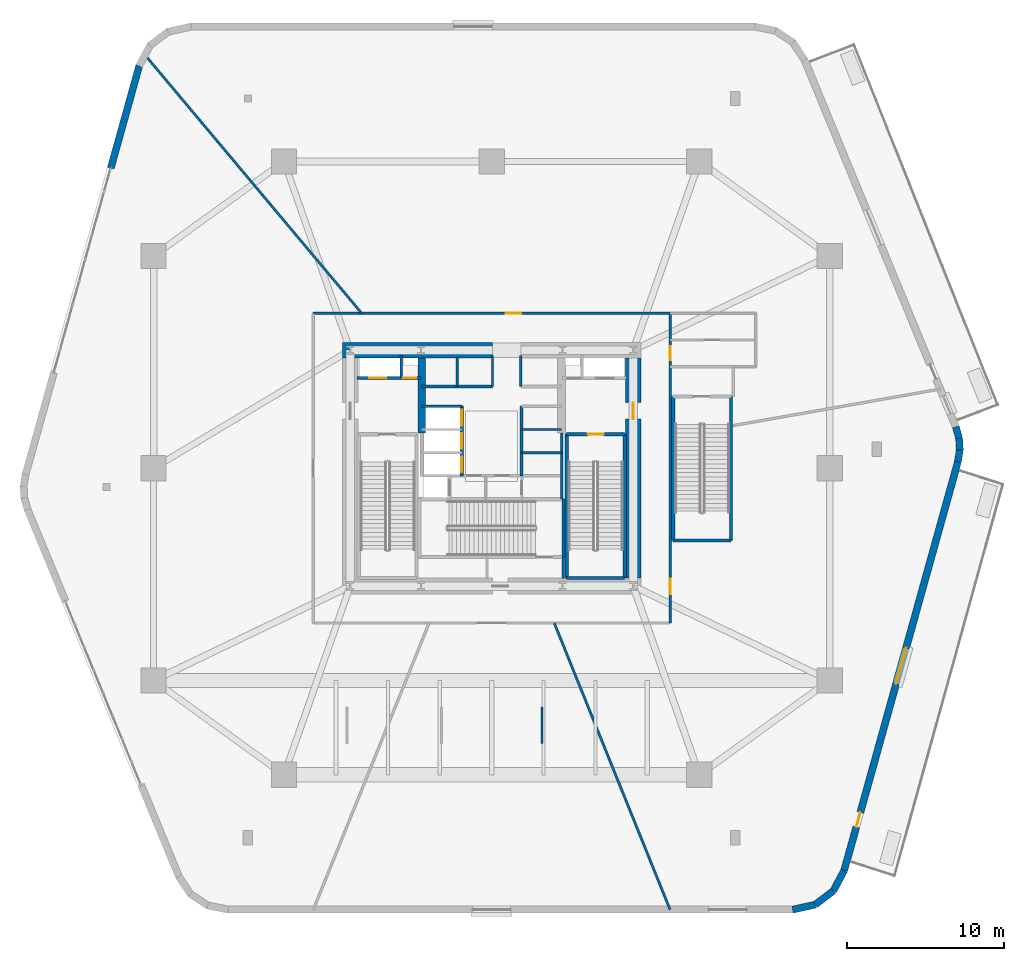
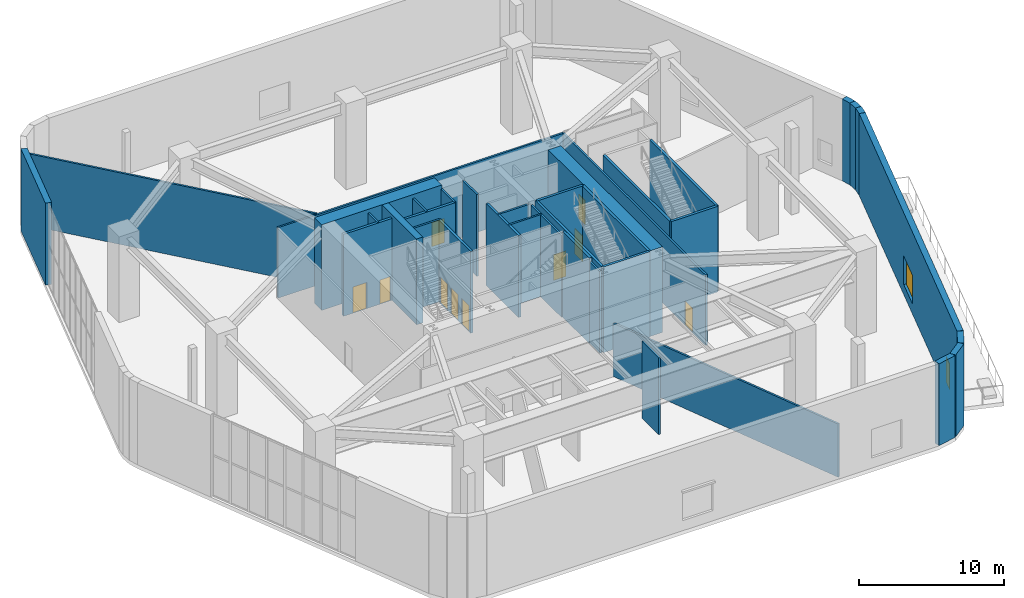
# One storey, part 11 of 17: 37 walls, 11 doors, 1 window, 12 openings.
"""IFC4 building model written with IfcOpenShell, lengths in metres."""

from ifc_helpers import new_model, si_unit, direction, frame, frame_2d, origin, place, context, subcontext, project, spatial, rectangle, extrude, material, layer, layer_set, type_object, element, fill, save


model = new_model("IFC4")

# Units and contexts
model_context = context("Model", 3, precision=1e-05, world=origin(), true_north=direction((0.0, 1.0)))
body_context = subcontext(model_context, "Body", "Model", "MODEL_VIEW")
ifc_project = project(units=[si_unit("LENGTHUNIT", "METRE"), si_unit("AREAUNIT", "SQUARE_METRE"), si_unit("VOLUMEUNIT", "CUBIC_METRE"), si_unit("PLANEANGLEUNIT", "RADIAN"), si_unit("MASSUNIT", "GRAM", prefix="KILO")], contexts=[model_context])

# Site, building, storey
site_placement = place(None, origin())
site = spatial("IfcSite", under=ifc_project, at=site_placement, CompositionType="ELEMENT")
building_placement = place(site_placement, origin())
building = spatial("IfcBuilding", under=site, at=building_placement, Name="Kilnhurst Terrace Hotel", CompositionType="ELEMENT")
storey_placement = place(building_placement, frame((0.0, 0.0, 11.39990234375)))
storey = spatial("IfcBuildingStorey", under=building, at=storey_placement, Name="L02", CompositionType="ELEMENT", Elevation=11.39990234375)

# Walls
ifc_material_1 = material(Name="Precast concrete C40/50", Category="concrete")
ifc_layer_1 = layer(ifc_material_1, 0.449951171875, Name="Precast concrete C40/50")
ifc_layer_set_1 = layer_set([ifc_layer_1], Name="Precast concrete C40/50")
wall_type_1 = type_object("IfcWallType", Name="WL-BRK-450", PredefinedType="SOLIDWALL", material=ifc_layer_set_1)
wall_1_placement = place(storey_placement, frame((19.13525390625, -28.074951171875, 0.0), z_axis=(0.0, 0.0, 1.0), x_axis=(0.976633338678, 0.214912358376, 0.0)))
element("IfcWall", 1, at=wall_1_placement, inside=storey, type_object=wall_type_1, Name="L02 Rounded Corner Brick Wall C2.1", PredefinedType="SOLIDWALL", context=body_context, shape_type="SweptSolid", body=[
    extrude(rectangle(XDim=1.473388671875, YDim=0.449951171875, at=frame_2d((0.73681640625, 0.0))), origin(), (0.0, 0.0, 1.0), 6.880126953125),
])
wall_2_placement = place(storey_placement, frame((20.57421875, -27.75830078125, 0.0), z_axis=(0.0, 0.0, 1.0), x_axis=(0.796282384807, 0.604925089284, 0.0)))
element("IfcWall", 2, at=wall_2_placement, inside=storey, type_object=wall_type_1, Name="L02 Rounded Corner Brick Wall C2.2", PredefinedType="SOLIDWALL", context=body_context, shape_type="SweptSolid", body=[
    extrude(rectangle(XDim=1.447998046875, YDim=0.449951171875, at=frame_2d((0.72412109375, 0.0))), origin(), (0.0, 0.0, 1.0), 6.880126953125),
])
wall_3_placement = place(storey_placement, frame((21.727294921875, -26.88232421875, 0.0), z_axis=(0.0, 0.0, 1.0), x_axis=(0.468626083389, 0.883396623249, 0.0)))
element("IfcWall", 3, at=wall_3_placement, inside=storey, type_object=wall_type_1, Name="L02 Rounded Corner Brick Wall C2.3", PredefinedType="SOLIDWALL", context=body_context, shape_type="SweptSolid", body=[
    extrude(rectangle(XDim=1.473388671875, YDim=0.449951171875, at=frame_2d((0.73681640625, 0.0))), origin(), (0.0, 0.0, 1.0), 6.880126953125),
])
wall_4_placement = place(storey_placement, frame((29.648193359375, 0.412353515625, 0.0), z_axis=(0.0, 0.0, 1.0), x_axis=(0.160207253195, 0.987083398718, 0.0)))
element("IfcWall", 4, at=wall_4_placement, inside=storey, type_object=wall_type_1, Name="L02 Rounded Corner Brick Wall C3.1", PredefinedType="SOLIDWALL", context=body_context, shape_type="SweptSolid", body=[
    extrude(rectangle(XDim=0.755859375, YDim=0.449951171875, at=frame_2d((0.3779296875, 0.0))), origin(), (0.0, 0.0, 1.0), 6.880126953125),
])
wall_5_placement = place(storey_placement, frame((29.769287109375, 1.158447265625, 0.0), z_axis=(0.0, 0.0, 1.0), x_axis=(-0.059781012143, 0.998211515956, 0.0)))
element("IfcWall", 5, at=wall_5_placement, inside=storey, type_object=wall_type_1, Name="L02 Rounded Corner Brick Wall C3.2", PredefinedType="SOLIDWALL", context=body_context, shape_type="SweptSolid", body=[
    extrude(rectangle(XDim=0.7431640625, YDim=0.449951171875, at=frame_2d((0.37158203125, 0.0))), origin(), (0.0, 0.0, 1.0), 6.880126953125),
])
wall_6_placement = place(storey_placement, frame((29.724853515625, 1.900390625, 0.0), z_axis=(0.0, 0.0, 1.0), x_axis=(-0.276810835942, 0.960924430486, 0.0)))
element("IfcWall", 6, at=wall_6_placement, inside=storey, type_object=wall_type_1, Name="L02 Rounded Corner Brick Wall C3.3", PredefinedType="SOLIDWALL", context=body_context, shape_type="SweptSolid", body=[
    extrude(rectangle(XDim=0.755859375, YDim=0.449951171875, at=frame_2d((0.3779296875, 0.0))), origin(), (0.0, 0.0, 1.0), 6.880126953125),
])

# Wall, openings, door, window
wall_7_placement = place(storey_placement, frame((22.417724609375, -25.580810546875, 0.0), z_axis=(0.0, 0.0, 1.0), x_axis=(0.26799294283, 0.963420875108, 0.0)))
wall_7 = element("IfcWall", 7, at=wall_7_placement, inside=storey, type_object=wall_type_1, Name="L02 Exterior Brick Facade Wall F2", PredefinedType="SOLIDWALL", context=body_context, shape_type="SweptSolid", body=[
    extrude(rectangle(XDim=26.97998046875, YDim=0.449951171875, at=frame_2d((13.489990234375, 0.0))), origin(), (0.0, 0.0, 1.0), 6.880126953125),
])
opening_1_placement = place(wall_7_placement, frame((2.873046875, 0.0, 0.0)))
opening_1 = element("IfcOpeningElement", 8, at=opening_1_placement, cuts=wall_7, Name="Opening BD-950", PredefinedType="OPENING", context=body_context, shape_type="SweptSolid", body=[
    extrude(rectangle(XDim=0.949951171875, YDim=2.14990234375, at=frame_2d((0.47509765625, 1.074951171875))), frame((0.0, 0.23486328125, 0.0), z_axis=(0.0, -1.0, 0.0), x_axis=(1.0, 0.0, 0.0)), (0.0, 0.0, 1.0), 0.469970703125),
])
opening_2_placement = place(wall_7_placement, frame((12.2900390625, 0.0, 0.85009765625)))
opening_2 = element("IfcOpeningElement", 9, at=opening_2_placement, cuts=wall_7, Name="Opening W-07", PredefinedType="OPENING", context=body_context, shape_type="SweptSolid", body=[
    extrude(rectangle(XDim=2.39990234375, YDim=2.39990234375, at=frame_2d((1.199951171875, 1.199951171875))), frame((0.0, 0.23486328125, 0.0), z_axis=(0.0, -1.0, 0.0), x_axis=(1.0, 0.0, 0.0)), (0.0, 0.0, 1.0), 0.469970703125),
])
ifc_material_2 = material(Name="Thermally Broken Bronze Aluminium Alloy 6063-T6 and Laminated Glass", Category="aluminium")
door_type_1 = type_object("IfcDoorType", Name="DR-EXT-BAL-950", OperationType="NOTDEFINED", PredefinedType="DOOR", material=ifc_material_2)
door_1_placement = place(opening_1_placement, origin())
door_1 = element("IfcDoor", 10, at=door_1_placement, inside=storey, type_object=door_type_1, Name="L02 Planted Balcony Door TERR-1", OperationType="SINGLE_SWING_RIGHT", OverallHeight=2.14990234375, OverallWidth=0.949951171875, PredefinedType="DOOR", context=body_context, shape_type="SweptSolid", body=[
    extrude(rectangle(XDim=0.949951171875, YDim=2.14990234375, at=frame_2d((0.47509765625, 1.074951171875))), frame((0.0, 0.02490234375, 0.0), z_axis=(0.0, -1.0, 0.0), x_axis=(1.0, 0.0, 0.0)), (0.0, 0.0, 1.0), 0.050048828125),
])
fill(opening_1, door_1)
ifc_material_3 = material(Name="Thermally Broken Bronze Aluminium Alloy 6063-T6 and Low-E Glass", Category="aluminium")
window_type = type_object("IfcWindowType", Name="WIN-2400X2400", PartitioningType="SINGLE_PANEL", PredefinedType="WINDOW", material=ifc_material_3)
window_placement = place(opening_2_placement, origin())
window = element("IfcWindow", 11, at=window_placement, inside=storey, type_object=window_type, Name="L02 Deep-Set Masonry Window F2.1", OverallHeight=2.39990234375, OverallWidth=2.39990234375, PartitioningType="SINGLE_PANEL", PredefinedType="WINDOW", context=body_context, shape_type="SweptSolid", body=[
    extrude(rectangle(XDim=2.39990234375, YDim=2.39990234375, at=frame_2d((1.199951171875, 1.199951171875))), frame((0.0, 0.030029296875, 0.0), z_axis=(0.0, -1.0, 0.0), x_axis=(1.0, 0.0, 0.0)), (0.0, 0.0, 1.0), 0.06005859375),
])
fill(opening_2, window)

# Wall
wall_8_placement = place(storey_placement, frame((-22.417724609375, 25.580810546875, 0.0), z_axis=(0.0, 0.0, 1.0), x_axis=(-0.26799294283, -0.963420875108, 0.0)))
element("IfcWall", 12, at=wall_8_placement, inside=storey, type_object=wall_type_1, Name="L02 Face 5 Brick Pier 1", PredefinedType="SOLIDWALL", context=body_context, shape_type="SweptSolid", body=[
    extrude(rectangle(XDim=6.7451171875, YDim=0.449951171875, at=frame_2d((3.37255859375, 0.0))), origin(), (0.0, 0.0, 1.0), 6.880126953125),
])

# Wall, opening, door
ifc_material_4 = material(Name="Acoustic Double-Gypsum Corridor Partition Assembly")
ifc_layer_2 = layer(ifc_material_4, 0.14990234375, Name="Acoustic Double-Gypsum Corridor Partition Assembly")
ifc_layer_set_2 = layer_set([ifc_layer_2], Name="Acoustic Double-Gypsum Corridor Partition Assembly")
wall_type_2 = type_object("IfcWallType", Name="WL-COR-150", PredefinedType="PARTITIONING", material=ifc_layer_set_2)
wall_9_placement = place(storey_placement, frame((-11.35009765625, 9.85009765625, 0.0), z_axis=(0.0, 0.0, 1.0), x_axis=(1.0, 0.0, 0.0)))
wall_9 = element("IfcWall", 13, at=wall_9_placement, inside=storey, type_object=wall_type_2, Name="L02 Interior Wall WL-L02-COR-02", PredefinedType="PARTITIONING", context=body_context, shape_type="SweptSolid", body=[
    extrude(rectangle(XDim=22.7001953125, YDim=0.14990234375, at=frame_2d((11.35009765625, 0.0))), origin(), (0.0, 0.0, 1.0), 5.922119140625),
])
opening_3_placement = place(wall_9_placement, frame((12.236083984375, 0.0, 0.0)))
opening_3 = element("IfcOpeningElement", 14, at=opening_3_placement, cuts=wall_9, Name="Opening D-10A", PredefinedType="OPENING", context=body_context, shape_type="SweptSolid", body=[
    extrude(rectangle(XDim=1.0, YDim=2.030029296875, at=frame_2d((0.5, 1.01513671875))), frame((0.0, 0.0849609375, 0.0), z_axis=(0.0, -1.0, 0.0), x_axis=(1.0, 0.0, 0.0)), (0.0, 0.0, 1.0), 0.169921875),
])
ifc_material_5 = material(Name="Solid-Core American White Oak Interior Door")
door_type_2 = type_object("IfcDoorType", Name="DR-INT-1000", OperationType="NOTDEFINED", PredefinedType="DOOR", material=ifc_material_5)
door_2_placement = place(opening_3_placement, origin())
door_2 = element("IfcDoor", 15, at=door_2_placement, inside=storey, type_object=door_type_2, Name="L02 Main Catering Finishing Kitchen Door", OperationType="SINGLE_SWING_LEFT", OverallHeight=2.030029296875, OverallWidth=1.0, PredefinedType="DOOR", context=body_context, shape_type="SweptSolid", body=[
    extrude(rectangle(XDim=1.0, YDim=2.030029296875, at=frame_2d((0.5, 1.01513671875))), frame((0.0, 0.02490234375, 0.0), z_axis=(0.0, -1.0, 0.0), x_axis=(1.0, 0.0, 0.0)), (0.0, 0.0, 1.0), 0.050048828125),
])
fill(opening_3, door_2)

# Wall, openings, doors
wall_10_placement = place(storey_placement, frame((11.35009765625, 9.85009765625, 0.0), z_axis=(0.0, 0.0, 1.0), x_axis=(0.0, -1.0, 0.0)))
wall_10 = element("IfcWall", 16, at=wall_10_placement, inside=storey, type_object=wall_type_2, Name="L02 Interior Wall WL-L02-COR-03", PredefinedType="PARTITIONING", context=body_context, shape_type="SweptSolid", body=[
    extrude(rectangle(XDim=19.7001953125, YDim=0.14990234375, at=frame_2d((9.85009765625, 0.0))), origin(), (0.0, 0.0, 1.0), 5.922119140625),
])
opening_4_placement = place(wall_10_placement, frame((2.10009765625, 0.0, 0.0)))
opening_4 = element("IfcOpeningElement", 17, at=opening_4_placement, cuts=wall_10, Name="Opening D-09B", PredefinedType="OPENING", context=body_context, shape_type="SweptSolid", body=[
    extrude(rectangle(XDim=0.89990234375, YDim=2.030029296875, at=frame_2d((0.449951171875, 1.01513671875))), frame((0.0, 0.0849609375, 0.0), z_axis=(0.0, -1.0, 0.0), x_axis=(1.0, 0.0, 0.0)), (0.0, 0.0, 1.0), 0.169921875),
])
opening_5_placement = place(wall_10_placement, frame((16.875, 0.0, 0.0)))
opening_5 = element("IfcOpeningElement", 18, at=opening_5_placement, cuts=wall_10, Name="Opening D-10A", PredefinedType="OPENING", context=body_context, shape_type="SweptSolid", body=[
    extrude(rectangle(XDim=1.0, YDim=2.030029296875, at=frame_2d((0.5, 1.01513671875))), frame((0.0, 0.0849609375, 0.0), z_axis=(0.0, -1.0, 0.0), x_axis=(1.0, 0.0, 0.0)), (0.0, 0.0, 1.0), 0.169921875),
])
door_3_placement = place(opening_5_placement, origin())
door_3 = element("IfcDoor", 19, at=door_3_placement, inside=storey, type_object=door_type_2, Name="L02 Corporate Conference Boardroom Suite Door", OperationType="SINGLE_SWING_RIGHT", OverallHeight=2.030029296875, OverallWidth=1.0, PredefinedType="DOOR", context=body_context, shape_type="SweptSolid", body=[
    extrude(rectangle(XDim=1.0, YDim=2.030029296875, at=frame_2d((0.5, 1.01513671875))), frame((0.0, 0.02490234375, 0.0), z_axis=(0.0, -1.0, 0.0), x_axis=(1.0, 0.0, 0.0)), (0.0, 0.0, 1.0), 0.050048828125),
])
fill(opening_5, door_3)
ifc_material_6 = material(Name="Moisture-Resistant Solid-Core Restroom Door")
door_type_3 = type_object("IfcDoorType", Name="DR-INT-900", OperationType="NOTDEFINED", PredefinedType="DOOR", material=ifc_material_6)
door_4_placement = place(opening_4_placement, origin())
door_4 = element("IfcDoor", 20, at=door_4_placement, inside=storey, type_object=door_type_3, Name="L02 Public Restrooms Door", OperationType="SINGLE_SWING_LEFT", OverallHeight=2.030029296875, OverallWidth=0.89990234375, PredefinedType="DOOR", context=body_context, shape_type="SweptSolid", body=[
    extrude(rectangle(XDim=0.89990234375, YDim=2.030029296875, at=frame_2d((0.449951171875, 1.01513671875))), frame((0.0, 0.02490234375, 0.0), z_axis=(0.0, -1.0, 0.0), x_axis=(1.0, 0.0, 0.0)), (0.0, 0.0, 1.0), 0.050048828125),
])
fill(opening_4, door_4)

# Wall
ifc_material_7 = material(Name="Concrete C80/95", Category="concrete")
ifc_layer_3 = layer(ifc_material_7, 1.0, Name="Concrete C80/95")
ifc_layer_set_3 = layer_set([ifc_layer_3], Name="Concrete C80/95")
wall_type_3 = type_object("IfcWallType", Name="WL-CORE-1000", PredefinedType="SHEAR", material=ifc_layer_set_3)
wall_11_placement = place(storey_placement, frame((-9.5, 7.5, 0.0), z_axis=(0.0, 0.0, 1.0), x_axis=(1.0, 0.0, 0.0)))
element("IfcWall", 21, at=wall_11_placement, inside=storey, type_object=wall_type_3, Name="L02 Core North West Shear Wall", PredefinedType="SHEAR", context=body_context, shape_type="SweptSolid", body=[
    extrude(rectangle(XDim=9.550048828125, YDim=1.0, at=frame_2d((4.77490234375, 0.0))), origin(), (0.0, 0.0, 1.0), 7.2001953125),
])

# Wall, opening, door
wall_12_placement = place(storey_placement, frame((9.0, -7.0, 0.0), z_axis=(0.0, 0.0, 1.0), x_axis=(0.0, 1.0, 0.0)))
wall_12 = element("IfcWall", 22, at=wall_12_placement, inside=storey, type_object=wall_type_3, Name="L02 Core East Shear Wall", PredefinedType="SHEAR", context=body_context, shape_type="SweptSolid", body=[
    extrude(rectangle(XDim=14.0, YDim=1.0, at=frame_2d((7.0, 0.0))), origin(), (0.0, 0.0, 1.0), 7.2001953125),
])
opening_6_placement = place(wall_12_placement, frame((10.125, 0.0, 0.0)))
opening_6 = element("IfcOpeningElement", 23, at=opening_6_placement, cuts=wall_12, Name="Opening D-90A", PredefinedType="OPENING", context=body_context, shape_type="SweptSolid", body=[
    extrude(rectangle(XDim=1.050048828125, YDim=2.14990234375, at=frame_2d((0.52490234375, 1.074951171875))), frame((0.0, 0.510009765625, 0.0), z_axis=(0.0, -1.0, 0.0), x_axis=(1.0, 0.0, 0.0)), (0.0, 0.0, 1.0), 1.02001953125),
])
ifc_material_8 = material(Name="Painted Hollow Metal Steel ASTM A36 Fire Door", Category="steel")
door_type_4 = type_object("IfcDoorType", Name="DR-FD90-1050", OperationType="NOTDEFINED", PredefinedType="DOOR", material=ifc_material_8)
door_5_placement = place(opening_6_placement, origin())
door_5 = element("IfcDoor", 24, at=door_5_placement, inside=storey, type_object=door_type_4, Name="L02 East Firefighting Lobby Door", OperationType="SINGLE_SWING_LEFT", OverallHeight=2.14990234375, OverallWidth=1.050048828125, PredefinedType="DOOR", context=body_context, shape_type="SweptSolid", body=[
    extrude(rectangle(XDim=1.050048828125, YDim=2.14990234375, at=frame_2d((0.52490234375, 1.074951171875))), frame((0.0, 0.02490234375, 0.0), z_axis=(0.0, -1.0, 0.0), x_axis=(1.0, 0.0, 0.0)), (0.0, 0.0, 1.0), 0.050048828125),
])
fill(opening_6, door_5)

# Walls
ifc_material_9 = material(Name="Concrete C60/75", Category="concrete")
ifc_layer_4 = layer(ifc_material_9, 0.5, Name="Concrete C60/75")
ifc_layer_set_4 = layer_set([ifc_layer_4], Name="Concrete C60/75")
wall_type_4 = type_object("IfcWallType", Name="WL-CORE-WEB-500", PredefinedType="SHEAR", material=ifc_layer_set_4)
wall_13_placement = place(storey_placement, frame((-4.449951171875, 2.25, 0.0), z_axis=(0.0, 0.0, 1.0), x_axis=(0.0, 1.0, 0.0)))
element("IfcWall", 25, at=wall_13_placement, inside=storey, type_object=wall_type_4, Name="L02 Core Internal West Shear Web", PredefinedType="SHEAR", context=body_context, shape_type="SweptSolid", body=[
    extrude(rectangle(XDim=4.75, YDim=0.5, at=frame_2d((2.375, 0.0))), origin(), (0.0, 0.0, 1.0), 7.2001953125),
])
ifc_material_10 = material(Name="STC-54 Top-Hung Acoustic Operable Ballroom Folding Wall")
ifc_layer_5 = layer(ifc_material_10, 0.139892578125, Name="STC-54 Top-Hung Acoustic Operable Ballroom Folding Wall")
ifc_layer_set_5 = layer_set([ifc_layer_5], Name="STC-54 Top-Hung Acoustic Operable Ballroom Folding Wall")
wall_type_5 = type_object("IfcWallType", Name="WL-MOV-140", PredefinedType="MOVABLE", material=ifc_layer_set_5)
wall_14_placement = place(storey_placement, frame((3.199951171875, -17.5, 0.0), z_axis=(0.0, 0.0, 1.0), x_axis=(0.0, 1.0, 0.0)))
element("IfcWall", 26, at=wall_14_placement, inside=storey, type_object=wall_type_5, Name="L02 Operable Acoustic Ballroom Partition 3", PredefinedType="MOVABLE", context=body_context, shape_type="SweptSolid", body=[
    extrude(rectangle(XDim=2.300048828125, YDim=0.139892578125, at=frame_2d((1.14990234375, 0.0))), origin(), (0.0, 0.0, 1.0), 6.452392578125),
])
ifc_material_11 = material(Name="150 mm Acoustic Gypsum Hospitality Partition")
ifc_layer_6 = layer(ifc_material_11, 0.14990234375, Name="150 mm Acoustic Gypsum Hospitality Partition")
ifc_layer_set_6 = layer_set([ifc_layer_6], Name="150 mm Acoustic Gypsum Hospitality Partition")
wall_type_6 = type_object("IfcWallType", Name="WL-PART-150", PredefinedType="PARTITIONING", material=ifc_layer_set_6)
wall_15_placement = place(storey_placement, frame((3.979736328125, -9.85009765625, 0.0), z_axis=(0.0, 0.0, 1.0), x_axis=(0.374604951922, -0.927184517772, 0.0)))
element("IfcWall", 27, at=wall_15_placement, inside=storey, type_object=wall_type_6, Name="L02 Interior Wall WL-L02-PDIV-2-1", PredefinedType="PARTITIONING", context=body_context, shape_type="SweptSolid", body=[
    extrude(rectangle(XDim=19.656005859375, YDim=0.14990234375, at=frame_2d((9.828125, 0.0))), origin(), (0.0, 0.0, 1.0), 4.47021484375),
])
wall_16_placement = place(storey_placement, frame((-8.26513671875, 9.85009765625, 0.0), z_axis=(0.0, 0.0, 1.0), x_axis=(-0.642791997932, 0.766040760923, 0.0)))
element("IfcWall", 28, at=wall_16_placement, inside=storey, type_object=wall_type_6, Name="L02 Interior Wall WL-L02-PDIV-4-1", PredefinedType="PARTITIONING", context=body_context, shape_type="SweptSolid", body=[
    extrude(rectangle(XDim=21.270751953125, YDim=0.14990234375, at=frame_2d((10.63525390625, 0.0))), origin(), (0.0, 0.0, 1.0), 6.014404296875),
])
ifc_material_12 = material(Name="Fire-Rated Gypsum Shaftliner Assembly")
ifc_layer_7 = layer(ifc_material_12, 0.14990234375, Name="Fire-Rated Gypsum Shaftliner Assembly")
ifc_layer_set_7 = layer_set([ifc_layer_7], Name="Fire-Rated Gypsum Shaftliner Assembly")
wall_type_7 = type_object("IfcWallType", Name="WL-SHAFT-150", PredefinedType="PARTITIONING", material=ifc_layer_set_7)
wall_17_placement = place(storey_placement, frame((4.55810546875, -7.02001953125, 0.0), z_axis=(0.0, 0.0, 1.0), x_axis=(0.0, 1.0, 0.0)))
element("IfcWall", 29, at=wall_17_placement, inside=storey, type_object=wall_type_7, Name="L02 Interior Wall WL-L02-ST3-PSGE", PredefinedType="PARTITIONING", context=body_context, shape_type="SweptSolid", body=[
    extrude(rectangle(XDim=1.362060546875, YDim=0.14990234375, at=frame_2d((0.68115234375, 0.0))), origin(), (0.0, 0.0, 1.0), 6.880126953125),
])
wall_18_placement = place(storey_placement, frame((-5.75, 5.739990234375, 0.0), z_axis=(0.0, 0.0, 1.0), x_axis=(0.0, 1.0, 0.0)))
element("IfcWall", 30, at=wall_18_placement, inside=storey, type_object=wall_type_7, Name="L02 Interior Wall WL-L02-RIS1-DIV", PredefinedType="PARTITIONING", context=body_context, shape_type="SweptSolid", body=[
    extrude(rectangle(XDim=1.409912109375, YDim=0.14990234375, at=frame_2d((0.705078125, 0.0))), origin(), (0.0, 0.0, 1.0), 6.880126953125),
])
wall_19_placement = place(storey_placement, frame((-2.199951171875, 5.199951171875, 0.0), z_axis=(0.0, 0.0, 1.0), x_axis=(0.0, 1.0, 0.0)))
element("IfcWall", 31, at=wall_19_placement, inside=storey, type_object=wall_type_7, Name="L02 Interior Wall WL-L02-HR-DIV1", PredefinedType="PARTITIONING", context=body_context, shape_type="SweptSolid", body=[
    extrude(rectangle(XDim=1.85009765625, YDim=0.14990234375, at=frame_2d((0.925048828125, 0.0))), origin(), (0.0, 0.0, 1.0), 6.880126953125),
])
for number, where, z_axis, x_axis, name in (
    (32, (0.050048828125, 5.199951171875, 0.0), (0.0, 0.0, 1.0), (0.0, 1.0, 0.0), "L02 Interior Wall WL-L02-HR-PORTAL-W"),
    (33, (1.85009765625, 5.199951171875, 0.0), (0.0, 0.0, 1.0), (0.0, 1.0, 0.0), "L02 Interior Wall WL-L02-HR-PORTAL-E"),
):
    element("IfcWall", number, at=place(storey_placement, frame(where, z_axis=z_axis, x_axis=x_axis)), inside=storey, type_object=wall_type_7, Name=name, PredefinedType="PARTITIONING", context=body_context, shape_type="SweptSolid", body=[
        extrude(rectangle(XDim=1.949951171875, YDim=0.14990234375, at=frame_2d((0.97509765625, 0.0))), origin(), (0.0, 0.0, 1.0), 6.880126953125),
    ])
wall_20_placement = place(storey_placement, frame((4.449951171875, -1.971923828125, 0.0), z_axis=(0.0, 0.0, 1.0), x_axis=(0.0, 1.0, 0.0)))
element("IfcWall", 34, at=wall_20_placement, inside=storey, type_object=wall_type_7, Name="L02 Interior Wall WL-L02-XLOB-E", PredefinedType="PARTITIONING", context=body_context, shape_type="SweptSolid", body=[
    extrude(rectangle(XDim=4.221923828125, YDim=0.14990234375, at=frame_2d((2.11083984375, 0.0))), origin(), (0.0, 0.0, 1.0), 6.880126953125),
])
for number, where, z_axis, x_axis, name in (
    (35, (-4.449951171875, 3.93994140625, 0.0), (0.0, 0.0, 1.0), (1.0, 0.0, 0.0), "L02 Interior Wall WL-L02-LR-NORTH"),
    (36, (1.89990234375, 0.97998046875, 0.0), (0.0, 0.0, 1.0), (1.0, 0.0, 0.0), "L02 Interior Wall WL-L02-MR-D1"),
    (37, (1.89990234375, 2.4599609375, 0.0), (0.0, 0.0, 1.0), (1.0, 0.0, 0.0), "L02 Interior Wall WL-L02-MR-D2"),
):
    element("IfcWall", number, at=place(storey_placement, frame(where, z_axis=z_axis, x_axis=x_axis)), inside=storey, type_object=wall_type_7, Name=name, PredefinedType="PARTITIONING", context=body_context, shape_type="SweptSolid", body=[
        extrude(rectangle(XDim=2.550048828125, YDim=0.14990234375, at=frame_2d((1.27490234375, 0.0))), origin(), (0.0, 0.0, 1.0), 6.880126953125),
    ])

# Wall, openings, doors
ifc_material_13 = material(Name="Autoclaved Aerated Concrete C30/37 and Gypsum Shaft Assembly", Category="concrete")
ifc_layer_8 = layer(ifc_material_13, 0.199951171875, Name="Autoclaved Aerated Concrete C30/37 and Gypsum Shaft Assembly")
ifc_layer_set_8 = layer_set([ifc_layer_8], Name="Autoclaved Aerated Concrete C30/37 and Gypsum Shaft Assembly")
wall_type_8 = type_object("IfcWallType", Name="WL-SHAFT-200", PredefinedType="PARTITIONING", material=ifc_layer_set_8)
wall_21_placement = place(storey_placement, frame((-8.550048828125, 5.739990234375, 0.0), z_axis=(0.0, 0.0, 1.0), x_axis=(1.0, 0.0, 0.0)))
wall_21 = element("IfcWall", 38, at=wall_21_placement, inside=storey, type_object=wall_type_8, Name="L02 Interior Wall WL-L02-FSAE1-S", PredefinedType="PARTITIONING", context=body_context, shape_type="SweptSolid", body=[
    extrude(rectangle(XDim=4.050048828125, YDim=0.199951171875, at=frame_2d((2.02490234375, 0.0))), origin(), (0.0, 0.0, 1.0), 6.880126953125),
])
opening_7_placement = place(wall_21_placement, frame((0.75, 0.0, 0.0)))
opening_7 = element("IfcOpeningElement", 39, at=opening_7_placement, cuts=wall_21, Name="Opening LD-F1", PredefinedType="OPENING", context=body_context, shape_type="SweptSolid", body=[
    extrude(rectangle(XDim=1.10009765625, YDim=2.199951171875, at=frame_2d((0.550048828125, 1.10009765625))), frame((0.0, 0.10986328125, 0.0), z_axis=(0.0, -1.0, 0.0), x_axis=(1.0, 0.0, 0.0)), (0.0, 0.0, 1.0), 0.219970703125),
])
opening_8_placement = place(wall_21_placement, frame((2.89990234375, 0.0, 0.0)))
opening_8 = element("IfcOpeningElement", 40, at=opening_8_placement, cuts=wall_21, Name="Opening D-60D", PredefinedType="OPENING", context=body_context, shape_type="SweptSolid", body=[
    extrude(rectangle(XDim=0.85009765625, YDim=2.030029296875, at=frame_2d((0.425048828125, 1.01513671875))), frame((0.0, 0.10986328125, 0.0), z_axis=(0.0, -1.0, 0.0), x_axis=(1.0, 0.0, 0.0)), (0.0, 0.0, 1.0), 0.219970703125),
])
ifc_material_14 = material(Name="Painted Hollow Metal Steel ASTM A36 Riser Door", Category="steel")
door_type_5 = type_object("IfcDoorType", Name="DR-FD60-850", OperationType="NOTDEFINED", PredefinedType="DOOR", material=ifc_material_14)
door_6_placement = place(opening_8_placement, origin())
door_6 = element("IfcDoor", 41, at=door_6_placement, inside=storey, type_object=door_type_5, Name="L02 Electrical Riser Door", OperationType="SINGLE_SWING_LEFT", OverallHeight=2.030029296875, OverallWidth=0.85009765625, PredefinedType="DOOR", context=body_context, shape_type="SweptSolid", body=[
    extrude(rectangle(XDim=0.85009765625, YDim=2.030029296875, at=frame_2d((0.425048828125, 1.01513671875))), frame((0.0, 0.02490234375, 0.0), z_axis=(0.0, -1.0, 0.0), x_axis=(1.0, 0.0, 0.0)), (0.0, 0.0, 1.0), 0.050048828125),
])
fill(opening_8, door_6)
ifc_material_15 = material(Name="Bronze-Anodized Stainless Steel AISI 316L Sliding Door", Category="steel")
door_type_6 = type_object("IfcDoorType", Name="DR-LIFT-1100", OperationType="NOTDEFINED", PredefinedType="DOOR", material=ifc_material_15)
door_7_placement = place(opening_7_placement, origin())
door_7 = element("IfcDoor", 42, at=door_7_placement, inside=storey, type_object=door_type_6, Name="L02 FSAE-1 Landing Door", OperationType="SLIDING_TO_LEFT", OverallHeight=2.199951171875, OverallWidth=1.10009765625, PredefinedType="DOOR", context=body_context, shape_type="SweptSolid", body=[
    extrude(rectangle(XDim=1.10009765625, YDim=2.199951171875, at=frame_2d((0.550048828125, 1.10009765625))), frame((0.0, 0.02490234375, 0.0), z_axis=(0.0, -1.0, 0.0), x_axis=(1.0, 0.0, 0.0)), (0.0, 0.0, 1.0), 0.050048828125),
])
fill(opening_7, door_7)

# Wall
wall_22_placement = place(storey_placement, frame((-4.449951171875, 5.199951171875, 0.0), z_axis=(0.0, 0.0, 1.0), x_axis=(1.0, 0.0, 0.0)))
element("IfcWall", 43, at=wall_22_placement, inside=storey, type_object=wall_type_8, Name="L02 Interior Wall WL-L02-HR-SW", PredefinedType="PARTITIONING", context=body_context, shape_type="SweptSolid", body=[
    extrude(rectangle(XDim=4.5, YDim=0.199951171875, at=frame_2d((2.25, 0.0))), origin(), (0.0, 0.0, 1.0), 6.880126953125),
])

# Wall, openings, doors
wall_23_placement = place(storey_placement, frame((-1.89990234375, -0.5, 0.0), z_axis=(0.0, 0.0, 1.0), x_axis=(0.0, 1.0, 0.0)))
wall_23 = element("IfcWall", 44, at=wall_23_placement, inside=storey, type_object=wall_type_8, Name="L02 Interior Wall WL-L02-LR-FRONT", PredefinedType="PARTITIONING", context=body_context, shape_type="SweptSolid", body=[
    extrude(rectangle(XDim=4.43994140625, YDim=0.199951171875, at=frame_2d((2.219970703125, 0.0))), origin(), (0.0, 0.0, 1.0), 6.880126953125),
])
opening_9_placement = place(wall_23_placement, frame((0.239990234375, 0.0, 0.0)))
opening_9 = element("IfcOpeningElement", 45, at=opening_9_placement, cuts=wall_23, Name="Opening LD-LR", PredefinedType="OPENING", context=body_context, shape_type="SweptSolid", body=[
    extrude(rectangle(XDim=1.0, YDim=2.199951171875, at=frame_2d((0.5, 1.10009765625))), frame((0.0, 0.10986328125, 0.0), z_axis=(0.0, -1.0, 0.0), x_axis=(1.0, 0.0, 0.0)), (0.0, 0.0, 1.0), 0.219970703125),
])
opening_10_placement = place(wall_23_placement, frame((1.719970703125, 0.0, 0.0)))
opening_10 = element("IfcOpeningElement", 46, at=opening_10_placement, cuts=wall_23, Name="Opening LD-LR", PredefinedType="OPENING", context=body_context, shape_type="SweptSolid", body=[
    extrude(rectangle(XDim=1.0, YDim=2.199951171875, at=frame_2d((0.5, 1.10009765625))), frame((0.0, 0.10986328125, 0.0), z_axis=(0.0, -1.0, 0.0), x_axis=(1.0, 0.0, 0.0)), (0.0, 0.0, 1.0), 0.219970703125),
])
opening_11_placement = place(wall_23_placement, frame((3.199951171875, 0.0, 0.0)))
opening_11 = element("IfcOpeningElement", 47, at=opening_11_placement, cuts=wall_23, Name="Opening LD-LR", PredefinedType="OPENING", context=body_context, shape_type="SweptSolid", body=[
    extrude(rectangle(XDim=1.0, YDim=2.199951171875, at=frame_2d((0.5, 1.10009765625))), frame((0.0, 0.10986328125, 0.0), z_axis=(0.0, -1.0, 0.0), x_axis=(1.0, 0.0, 0.0)), (0.0, 0.0, 1.0), 0.219970703125),
])
door_type_7 = type_object("IfcDoorType", Name="DR-LIFT-1000", OperationType="NOTDEFINED", PredefinedType="DOOR", material=ifc_material_15)
door_8_placement = place(opening_9_placement, origin())
door_8 = element("IfcDoor", 48, at=door_8_placement, inside=storey, type_object=door_type_7, Name="L02 Low Rise Lift LR-1 Landing Door", OperationType="SLIDING_TO_LEFT", OverallHeight=2.199951171875, OverallWidth=1.0, PredefinedType="DOOR", context=body_context, shape_type="SweptSolid", body=[
    extrude(rectangle(XDim=1.0, YDim=2.199951171875, at=frame_2d((0.5, 1.10009765625))), frame((0.0, 0.02490234375, 0.0), z_axis=(0.0, -1.0, 0.0), x_axis=(1.0, 0.0, 0.0)), (0.0, 0.0, 1.0), 0.050048828125),
])
fill(opening_9, door_8)
door_9_placement = place(opening_10_placement, origin())
door_9 = element("IfcDoor", 49, at=door_9_placement, inside=storey, type_object=door_type_7, Name="L02 Low Rise Lift LR-2 Landing Door", OperationType="SLIDING_TO_LEFT", OverallHeight=2.199951171875, OverallWidth=1.0, PredefinedType="DOOR", context=body_context, shape_type="SweptSolid", body=[
    extrude(rectangle(XDim=1.0, YDim=2.199951171875, at=frame_2d((0.5, 1.10009765625))), frame((0.0, 0.02490234375, 0.0), z_axis=(0.0, -1.0, 0.0), x_axis=(1.0, 0.0, 0.0)), (0.0, 0.0, 1.0), 0.050048828125),
])
fill(opening_10, door_9)
door_10_placement = place(opening_11_placement, origin())
door_10 = element("IfcDoor", 50, at=door_10_placement, inside=storey, type_object=door_type_7, Name="L02 Low Rise Lift LR-3 Landing Door", OperationType="SLIDING_TO_LEFT", OverallHeight=2.199951171875, OverallWidth=1.0, PredefinedType="DOOR", context=body_context, shape_type="SweptSolid", body=[
    extrude(rectangle(XDim=1.0, YDim=2.199951171875, at=frame_2d((0.5, 1.10009765625))), frame((0.0, 0.02490234375, 0.0), z_axis=(0.0, -1.0, 0.0), x_axis=(1.0, 0.0, 0.0)), (0.0, 0.0, 1.0), 0.050048828125),
])
fill(opening_11, door_10)

# Walls
wall_24_placement = place(storey_placement, frame((1.89990234375, -0.5, 0.0), z_axis=(0.0, 0.0, 1.0), x_axis=(0.0, 1.0, 0.0)))
element("IfcWall", 51, at=wall_24_placement, inside=storey, type_object=wall_type_8, Name="L02 Interior Wall WL-L02-MR-FRONT", PredefinedType="PARTITIONING", context=body_context, shape_type="SweptSolid", body=[
    extrude(rectangle(XDim=4.43994140625, YDim=0.199951171875, at=frame_2d((2.219970703125, 0.0))), origin(), (0.0, 0.0, 1.0), 6.880126953125),
])
ifc_material_16 = material(Name="Concrete C50/60", Category="concrete")
ifc_layer_9 = layer(ifc_material_16, 0.199951171875, Name="Concrete C50/60")
ifc_layer_set_9 = layer_set([ifc_layer_9], Name="Concrete C50/60")
wall_type_9 = type_object("IfcWallType", Name="WL-STAIR-RC-200", PredefinedType="SHEAR", material=ifc_layer_set_9)
for number, where, z_axis, x_axis, name in (
    (52, (4.77197265625, -6.985107421875, 0.0), (0.0, 0.0, 1.0), (0.0, 1.0, 0.0), "L02 Structural Stair Shaft Wall WL-L02-ST2-W"),
    (53, (8.4580078125, -6.985107421875, 0.0), (0.0, 0.0, 1.0), (0.0, 1.0, 0.0), "L02 Structural Stair Shaft Wall WL-L02-ST2-E"),
):
    element("IfcWall", number, at=place(storey_placement, frame(where, z_axis=z_axis, x_axis=x_axis)), inside=storey, type_object=wall_type_9, Name=name, PredefinedType="SHEAR", context=body_context, shape_type="SweptSolid", body=[
        extrude(rectangle(XDim=9.14306640625, YDim=0.199951171875, at=frame_2d((4.571533203125, 0.0))), origin(), (0.0, 0.0, 1.0), 7.2001953125),
    ])
wall_25_placement = place(storey_placement, frame((4.77197265625, -6.985107421875, 0.0), z_axis=(0.0, 0.0, 1.0), x_axis=(1.0, 0.0, 0.0)))
element("IfcWall", 54, at=wall_25_placement, inside=storey, type_object=wall_type_9, Name="L02 Structural Stair Shaft Wall WL-L02-ST2-S", PredefinedType="SHEAR", context=body_context, shape_type="SweptSolid", body=[
    extrude(rectangle(XDim=3.68603515625, YDim=0.199951171875, at=frame_2d((1.843017578125, 0.0))), origin(), (0.0, 0.0, 1.0), 7.2001953125),
])

# Wall, opening, door
wall_26_placement = place(storey_placement, frame((4.77197265625, 2.157958984375, 0.0), z_axis=(0.0, 0.0, 1.0), x_axis=(1.0, 0.0, 0.0)))
wall_26 = element("IfcWall", 55, at=wall_26_placement, inside=storey, type_object=wall_type_9, Name="L02 Structural Stair Shaft Wall WL-L02-ST2-N", PredefinedType="SHEAR", context=body_context, shape_type="SweptSolid", body=[
    extrude(rectangle(XDim=3.68603515625, YDim=0.199951171875, at=frame_2d((1.843017578125, 0.0))), origin(), (0.0, 0.0, 1.0), 7.2001953125),
])
opening_12_placement = place(wall_26_placement, frame((1.35009765625, 0.0, 0.0)))
opening_12 = element("IfcOpeningElement", 56, at=opening_12_placement, cuts=wall_26, Name="Opening D-90B", PredefinedType="OPENING", context=body_context, shape_type="SweptSolid", body=[
    extrude(rectangle(XDim=1.0, YDim=2.14990234375, at=frame_2d((0.5, 1.074951171875))), frame((0.0, 0.10986328125, 0.0), z_axis=(0.0, -1.0, 0.0), x_axis=(1.0, 0.0, 0.0)), (0.0, 0.0, 1.0), 0.219970703125),
])
door_type_8 = type_object("IfcDoorType", Name="DR-FD90-1000", OperationType="NOTDEFINED", PredefinedType="DOOR", material=ifc_material_8)
door_11_placement = place(opening_12_placement, origin())
door_11 = element("IfcDoor", 57, at=door_11_placement, inside=storey, type_object=door_type_8, Name="L02 Stair ST-2 Door", OperationType="SINGLE_SWING_RIGHT", OverallHeight=2.14990234375, OverallWidth=1.0, PredefinedType="DOOR", context=body_context, shape_type="SweptSolid", body=[
    extrude(rectangle(XDim=1.0, YDim=2.14990234375, at=frame_2d((0.5, 1.074951171875))), frame((0.0, 0.02490234375, 0.0), z_axis=(0.0, -1.0, 0.0), x_axis=(1.0, 0.0, 0.0)), (0.0, 0.0, 1.0), 0.050048828125),
])
fill(opening_12, door_11)

# Walls
wall_27_placement = place(storey_placement, frame((4.55810546875, -5.657958984375, 0.0), z_axis=(0.0, 0.0, 1.0), x_axis=(0.0, 1.0, 0.0)))
element("IfcWall", 58, at=wall_27_placement, inside=storey, type_object=wall_type_9, Name="L02 Structural Stair Shaft Wall WL-L02-ST3-E", PredefinedType="SHEAR", context=body_context, shape_type="SweptSolid", body=[
    extrude(rectangle(XDim=3.68603515625, YDim=0.199951171875, at=frame_2d((1.843017578125, 0.0))), origin(), (0.0, 0.0, 1.0), 7.2001953125),
])
for number, where, z_axis, x_axis, name in (
    (59, (11.5419921875, -4.60791015625, 0.0), (0.0, 0.0, 1.0), (0.0, 1.0, 0.0), "L02 Podium Stair ST-4 Structural Shaft Wall WL-L02-ST4-W"),
    (60, (15.22802734375, -4.60791015625, 0.0), (0.0, 0.0, 1.0), (0.0, 1.0, 0.0), "L02 Podium Stair ST-4 Structural Shaft Wall WL-L02-ST4-E"),
):
    element("IfcWall", number, at=place(storey_placement, frame(where, z_axis=z_axis, x_axis=x_axis)), inside=storey, type_object=wall_type_9, Name=name, PredefinedType="SHEAR", context=body_context, shape_type="SweptSolid", body=[
        extrude(rectangle(XDim=9.166015625, YDim=0.199951171875, at=frame_2d((4.5830078125, 0.0))), origin(), (0.0, 0.0, 1.0), 7.2001953125),
    ])
wall_28_placement = place(storey_placement, frame((11.5419921875, -4.60791015625, 0.0), z_axis=(0.0, 0.0, 1.0), x_axis=(1.0, 0.0, 0.0)))
element("IfcWall", 61, at=wall_28_placement, inside=storey, type_object=wall_type_9, Name="L02 Podium Stair ST-4 Structural Shaft Wall WL-L02-ST4-S", PredefinedType="SHEAR", context=body_context, shape_type="SweptSolid", body=[
    extrude(rectangle(XDim=3.68603515625, YDim=0.199951171875, at=frame_2d((1.843017578125, 0.0))), origin(), (0.0, 0.0, 1.0), 7.2001953125),
])

save(model, "model.ifc")
